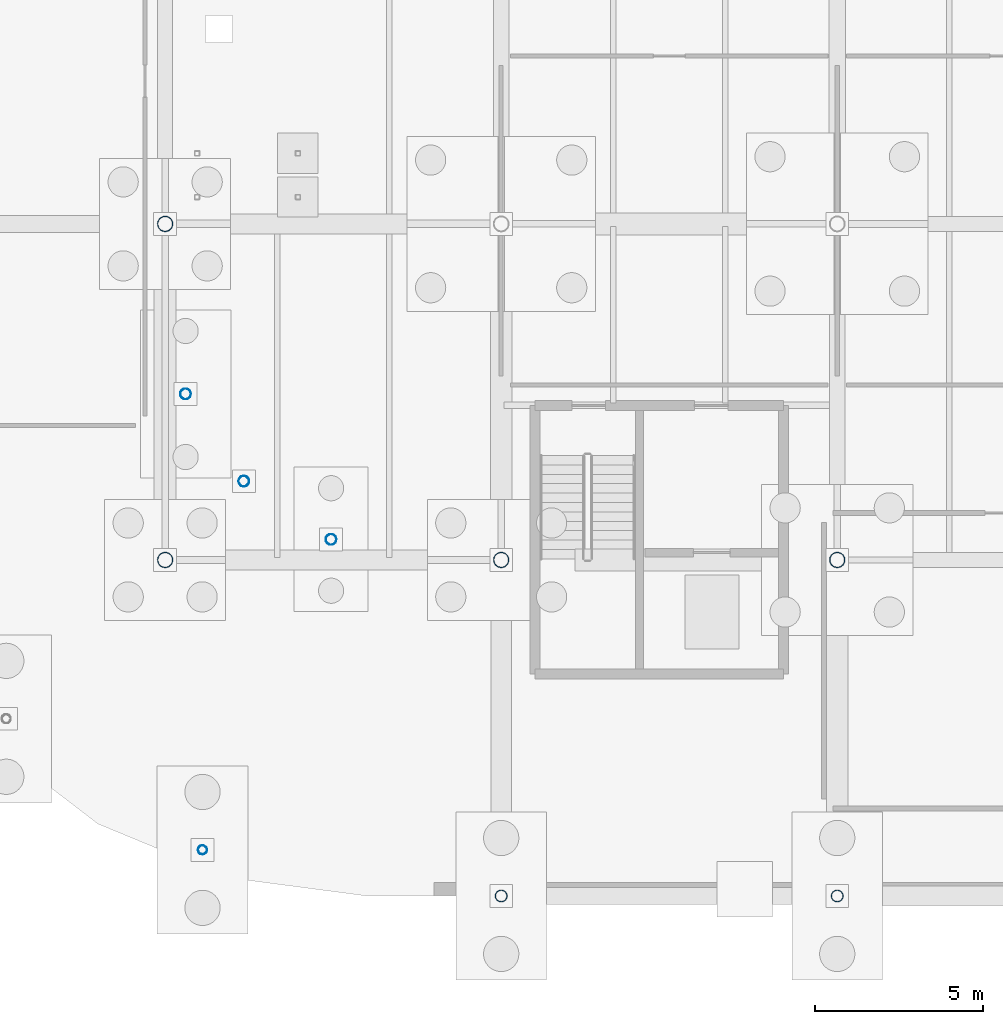
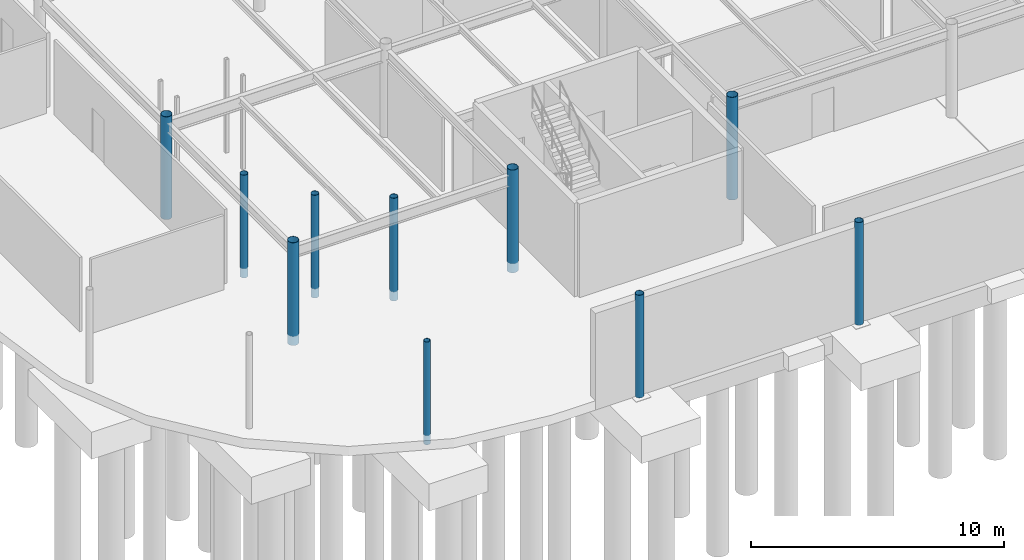
# One storey, part 18 of 75: 10 columns.
"""IFC4 building model written with IfcOpenShell, lengths in metres."""

from ifc_helpers import new_model, si_unit, derived_unit, direction, frame, origin, origin_2d_with_axis, place, context, subcontext, project, spatial, hollow_circle, extrude, material, material_profile, profile_set, type_object, element, save


model = new_model("IFC4")

# Units and contexts
model_context = context("Model", 3, precision=1e-05, world=origin(), true_north=direction((0.0, 1.0)))
body_context = subcontext(model_context, "Body", "Model", "MODEL_VIEW")
ifc_project = project(units=[si_unit("LENGTHUNIT", "METRE"), si_unit("AREAUNIT", "SQUARE_METRE"), si_unit("VOLUMEUNIT", "CUBIC_METRE"), si_unit("PLANEANGLEUNIT", "RADIAN"), si_unit("MASSUNIT", "GRAM", prefix="KILO"), derived_unit("THERMALTRANSMITTANCEUNIT", [(si_unit("POWERUNIT", "WATT"), 1), (si_unit("LENGTHUNIT", "METRE"), -2), (si_unit("THERMODYNAMICTEMPERATUREUNIT", "KELVIN"), -1)])], contexts=[model_context])

# Site, building, storey
site_placement = place(None, origin())
site = spatial("IfcSite", under=ifc_project, at=site_placement, CompositionType="ELEMENT")
building_placement = place(site_placement, origin())
building = spatial("IfcBuilding", under=site, at=building_placement, Name="Cinnabar Yard Market Hall", CompositionType="ELEMENT")
storey_placement = place(building_placement, frame((0.0, 0.0, -4.5)))
storey = spatial("IfcBuildingStorey", under=building, at=storey_placement, Name="B1", CompositionType="ELEMENT", Elevation=-4.5)

# Columns
ifc_material = material(Name="Spotted-gum glulam-clad steel Grade 350 (350 MPa)", Category="steel")
ifc_material_profile_1 = material_profile(ifc_material, hollow_circle(Radius=0.228515625, WallThickness=0.0126953125, at=origin_2d_with_axis()), Name="457.0x12.7CHS")
ifc_profile_set_1 = profile_set([ifc_material_profile_1], Name="Spotted-gum glulam-clad steel Grade 350 (350 MPa)")
column_type_1 = type_object("IfcColumnType", Name="COL-C01", PredefinedType="COLUMN", material=ifc_profile_set_1)
for number, where, z_axis, x_axis, name in (
    (1, (76.0, 24.0, -0.449951171875), (0.0, 0.0, 1.0), (1.0, 0.0, 0.0), "Tree Column V1I-01-01 B1"),
    (2, (76.0, 34.0, -0.449951171875), (0.0, 0.0, 1.0), (1.0, 0.0, 0.0), "Tree Column V1I-01-02 B1"),
    (3, (86.0, 24.0, -0.449951171875), (0.0, 0.0, 1.0), (1.0, 0.0, 0.0), "Tree Column V1I-02-01 B1"),
    (4, (96.0, 24.0, -0.449951171875), (0.0, 0.0, 1.0), (1.0, 0.0, 0.0), "Tree Column V1I-03-01 B1"),
):
    element("IfcColumn", number, at=place(storey_placement, frame(where, z_axis=z_axis, x_axis=x_axis)), inside=storey, type_object=column_type_1, Name=name, PredefinedType="COLUMN", context=body_context, shape_type="SweptSolid", body=[
        extrude(hollow_circle(Radius=0.228515625, WallThickness=0.0126953125, at=origin_2d_with_axis()), origin(), (0.0, 0.0, 1.0), 4.949951171875),
    ])
ifc_material_profile_2 = material_profile(ifc_material, hollow_circle(Radius=0.177734375, WallThickness=0.0126953125, at=origin_2d_with_axis()), Name="355.6x12.7CHS")
ifc_profile_set_2 = profile_set([ifc_material_profile_2], Name="Spotted-gum glulam-clad steel Grade 350 (350 MPa)")
column_type_2 = type_object("IfcColumnType", Name="COL-C02", PredefinedType="COLUMN", material=ifc_profile_set_2)
for number, where, z_axis, x_axis, name in (
    (5, (86.0, 14.0, -0.449951171875), (0.0, 0.0, 1.0), (1.0, 0.0, 0.0), "Tree Column V1S-01 B1"),
    (6, (96.0, 14.0, -0.449951171875), (0.0, 0.0, 1.0), (1.0, 0.0, 0.0), "Tree Column V1S-02 B1"),
):
    element("IfcColumn", number, at=place(storey_placement, frame(where, z_axis=z_axis, x_axis=x_axis)), inside=storey, type_object=column_type_2, Name=name, PredefinedType="COLUMN", context=body_context, shape_type="SweptSolid", body=[
        extrude(hollow_circle(Radius=0.177734375, WallThickness=0.0126953125, at=origin_2d_with_axis()), origin(), (0.0, 0.0, 1.0), 4.949951171875),
    ])
ifc_material_profile_3 = material_profile(ifc_material, hollow_circle(Radius=0.161865234375, WallThickness=0.009521484375, at=origin_2d_with_axis()), Name="323.9x9.5CHS")
ifc_profile_set_3 = profile_set([ifc_material_profile_3], Name="Spotted-gum glulam-clad steel Grade 350 (350 MPa)")
column_type_3 = type_object("IfcColumnType", Name="COL-C03", PredefinedType="COLUMN", material=ifc_profile_set_3)
for number, where, z_axis, x_axis, name in (
    (7, (76.60888671875, 28.9384765625, -0.449951171875), (0.0, 0.0, 1.0), (1.0, 0.0, 0.0), "Tree Column V1IC-SW2 B1"),
    (8, (78.343017578125, 26.343017578125, -0.449951171875), (0.0, 0.0, 1.0), (1.0, 0.0, 0.0), "Tree Column V1IC-SW4 B1"),
    (9, (80.9384765625, 24.60888671875, -0.449951171875), (0.0, 0.0, 1.0), (1.0, 0.0, 0.0), "Tree Column V1IC-SW6 B1"),
):
    element("IfcColumn", number, at=place(storey_placement, frame(where, z_axis=z_axis, x_axis=x_axis)), inside=storey, type_object=column_type_3, Name=name, PredefinedType="COLUMN", context=body_context, shape_type="SweptSolid", body=[
        extrude(hollow_circle(Radius=0.161865234375, WallThickness=0.009521484375, at=origin_2d_with_axis()), origin(), (0.0, 0.0, 1.0), 4.949951171875),
    ])
ifc_material_profile_4 = material_profile(ifc_material, hollow_circle(Radius=0.136474609375, WallThickness=0.00927734375, at=origin_2d_with_axis()), Name="273.1x9.3CHS")
ifc_profile_set_4 = profile_set([ifc_material_profile_4], Name="Spotted-gum glulam-clad steel Grade 350 (350 MPa)")
column_type_4 = type_object("IfcColumnType", Name="COL-C04", PredefinedType="COLUMN", material=ifc_profile_set_4)
column_placement = place(storey_placement, frame((77.11181640625, 15.3701171875, -0.449951171875), z_axis=(0.0, 0.0, 1.0), x_axis=(1.0, 0.0, 0.0)))
element("IfcColumn", 10, at=column_placement, inside=storey, type_object=column_type_4, Name="Tree Column V1C-SW6 B1", PredefinedType="COLUMN", context=body_context, shape_type="SweptSolid", body=[
    extrude(hollow_circle(Radius=0.136474609375, WallThickness=0.00927734375, at=origin_2d_with_axis()), origin(), (0.0, 0.0, 1.0), 4.949951171875),
])

save(model, "model.ifc")
